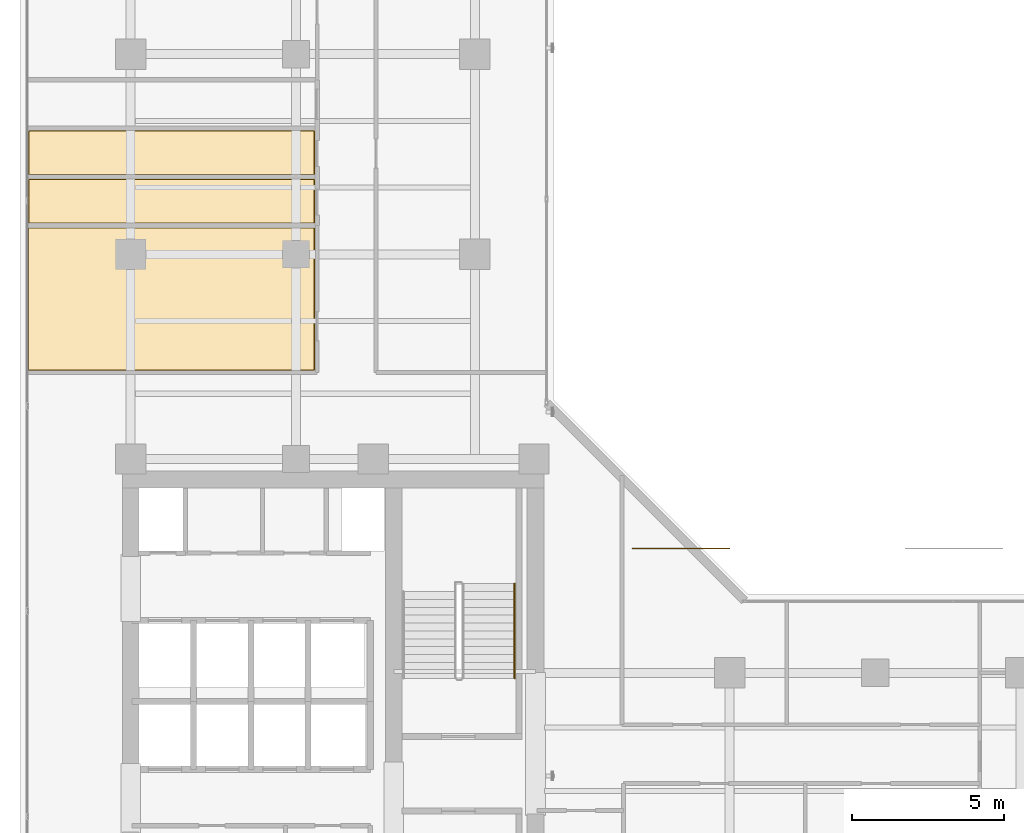
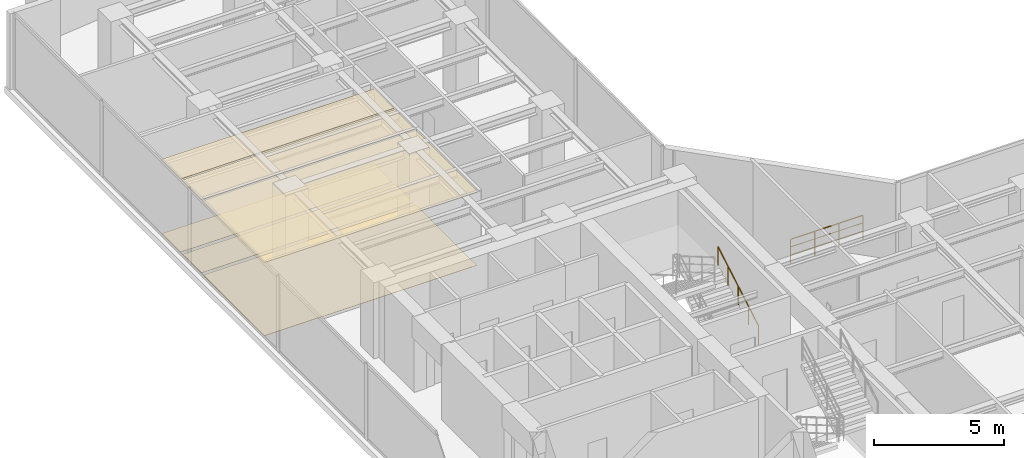
# One storey, part 22 of 25: 6 coverings, 2 railings.
"""IFC4 building model written with IfcOpenShell, lengths in metres."""

from ifc_helpers import new_model, si_unit, direction, frame, origin, origin_2d, place, context, subcontext, project, spatial, polyline, circle, outline, extrude, material, layer, layer_set, type_object, element, save


model = new_model("IFC4")

# Units and contexts
model_context = context("Model", 3, precision=1e-05, world=origin(), true_north=direction((0.0, 1.0)))
body_context = subcontext(model_context, "Body", "Model", "MODEL_VIEW")
ifc_project = project(units=[si_unit("LENGTHUNIT", "METRE"), si_unit("AREAUNIT", "SQUARE_METRE"), si_unit("VOLUMEUNIT", "CUBIC_METRE"), si_unit("PLANEANGLEUNIT", "RADIAN"), si_unit("MASSUNIT", "GRAM", prefix="KILO")], contexts=[model_context])

# Site, building, storey
site_placement = place(None, origin())
site = spatial("IfcSite", under=ifc_project, at=site_placement, CompositionType="ELEMENT")
building_placement = place(site_placement, origin())
building = spatial("IfcBuilding", under=site, at=building_placement, Name="Kolvaren Waterfront Exchange", CompositionType="ELEMENT")
storey_placement = place(building_placement, frame((0.0, 0.0, 223.5)))
storey = spatial("IfcBuildingStorey", under=building, at=storey_placement, Name="L57", CompositionType="ELEMENT", Elevation=223.5)

# Railing
ifc_material_1 = material(Name="Anodised bronze aluminium and laminated glass", Category="aluminium")
railing_type_1 = type_object("IfcRailingType", Name="ARC-BALUSTRADE-1150", PredefinedType="BALUSTRADE", material=ifc_material_1)
railing_1_placement = place(storey_placement, frame((24.0, 21.5, 0.0)))
element("IfcRailing", 1, at=railing_1_placement, inside=storey, type_object=railing_type_1, Name="L57 gallery balustrade 1", PredefinedType="BALUSTRADE", context=body_context, shape_type="SweptSolid", body=[
    extrude(circle(Radius=0.02392578125, at=origin_2d()), frame((0.0, 0.0, 1.1259765625), z_axis=(1.0, 0.0, 0.0), x_axis=(0.0, 1.0, 0.0)), (0.0, 0.0, 1.0), 3.199951171875),
    extrude(circle(Radius=0.01611328125, at=origin_2d()), frame((0.0, 0.0, 0.390869140625), z_axis=(1.0, 0.0, 0.0), x_axis=(0.0, 1.0, 0.0)), (0.0, 0.0, 1.0), 3.199951171875),
    extrude(circle(Radius=0.01611328125, at=origin_2d()), frame((0.0, 0.0, 0.7705078125), z_axis=(1.0, 0.0, 0.0), x_axis=(0.0, 1.0, 0.0)), (0.0, 0.0, 1.0), 3.199951171875),
    extrude(circle(Radius=0.02099609375, at=origin_2d()), origin(), (0.0, 0.0, 1.0), 1.101806640625),
    extrude(circle(Radius=0.02099609375, at=origin_2d()), frame((1.066650390625, 0.0, 0.0)), (0.0, 0.0, 1.0), 1.101806640625),
    extrude(circle(Radius=0.02099609375, at=origin_2d()), frame((2.13330078125, 0.0, 0.0)), (0.0, 0.0, 1.0), 1.101806640625),
    extrude(circle(Radius=0.02099609375, at=origin_2d()), frame((3.199951171875, 0.0, 0.0)), (0.0, 0.0, 1.0), 1.101806640625),
])

# Coverings
ifc_material_2 = material(Name="Mineral fibre acoustic ceiling tile")
ifc_layer_1 = layer(ifc_material_2, 0.02490234375, Name="Mineral fibre acoustic ceiling tile")
ifc_layer_set_1 = layer_set([ifc_layer_1], Name="Mineral fibre acoustic ceiling tile")
covering_type_1 = type_object("IfcCoveringType", Name="ARC-CEIL-ACOUSTIC-25", PredefinedType="CEILING", material=ifc_layer_set_1)
covering_1_placement = place(storey_placement, frame((0.0, 0.0, 3.445068359375)))
element("IfcCovering", 2, at=covering_1_placement, inside=storey, type_object=covering_type_1, Name="L57 acoustic suspended ceiling 1", PredefinedType="CEILING", context=body_context, shape_type="SweptSolid", body=[
    extrude(outline(polyline([(13.534912109375, 27.344970703125), (13.534912109375, 32.10498046875), (4.044921875, 32.10498046875), (4.044921875, 27.344970703125), (13.534912109375, 27.344970703125)])), origin(), (0.0, 0.0, 1.0), 0.02490234375),
])
covering_2_placement = place(storey_placement, frame((0.0, 0.0, 3.445068359375)))
element("IfcCovering", 3, at=covering_2_placement, inside=storey, type_object=covering_type_1, Name="L57 acoustic suspended ceiling 2", PredefinedType="CEILING", context=body_context, shape_type="SweptSolid", body=[
    extrude(outline(polyline([(13.534912109375, 32.195068359375), (13.534912109375, 33.705078125), (4.06494140625, 33.705078125), (4.06494140625, 32.195068359375), (13.534912109375, 32.195068359375)])), origin(), (0.0, 0.0, 1.0), 0.02490234375),
])
covering_3_placement = place(storey_placement, frame((0.0, 0.0, 3.445068359375)))
element("IfcCovering", 4, at=covering_3_placement, inside=storey, type_object=covering_type_1, Name="L57 acoustic suspended ceiling 3", PredefinedType="CEILING", context=body_context, shape_type="SweptSolid", body=[
    extrude(outline(polyline([(13.534912109375, 33.794921875), (13.534912109375, 35.304931640625), (4.06494140625, 35.304931640625), (4.06494140625, 33.794921875), (13.534912109375, 33.794921875)])), origin(), (0.0, 0.0, 1.0), 0.02490234375),
])
ifc_material_3 = material(Name="Slip-resistant porcelain tile")
ifc_layer_2 = layer(ifc_material_3, 0.014892578125, Name="Slip-resistant porcelain tile")
ifc_layer_set_2 = layer_set([ifc_layer_2], Name="Slip-resistant porcelain tile")
covering_type_2 = type_object("IfcCoveringType", Name="ARC-FLR-PORC-15", PredefinedType="FLOORING", material=ifc_layer_set_2)
covering_4_placement = place(storey_placement, origin())
element("IfcCovering", 5, at=covering_4_placement, inside=storey, type_object=covering_type_2, Name="L57 floor finish 1", PredefinedType="FLOORING", context=body_context, shape_type="SweptSolid", body=[
    extrude(outline(polyline([(4.080078125, 32.070068359375), (4.080078125, 27.3798828125), (13.5, 27.3798828125), (13.5, 32.070068359375), (4.080078125, 32.070068359375)])), origin(), (0.0, 0.0, 1.0), 0.014892578125),
])
covering_5_placement = place(storey_placement, origin())
element("IfcCovering", 6, at=covering_5_placement, inside=storey, type_object=covering_type_2, Name="L57 floor finish 2", PredefinedType="FLOORING", context=body_context, shape_type="SweptSolid", body=[
    extrude(outline(polyline([(4.10009765625, 33.669921875), (4.10009765625, 32.22998046875), (13.5, 32.22998046875), (13.5, 33.669921875), (4.10009765625, 33.669921875)])), origin(), (0.0, 0.0, 1.0), 0.014892578125),
])
covering_6_placement = place(storey_placement, origin())
element("IfcCovering", 7, at=covering_6_placement, inside=storey, type_object=covering_type_2, Name="L57 floor finish 3", PredefinedType="FLOORING", context=body_context, shape_type="SweptSolid", body=[
    extrude(outline(polyline([(4.10009765625, 35.27001953125), (4.10009765625, 33.830078125), (13.5, 33.830078125), (13.5, 35.27001953125), (4.10009765625, 35.27001953125)])), origin(), (0.0, 0.0, 1.0), 0.014892578125),
])

# Railing
ifc_material_4 = material(Name="Stainless steel 316", Category="steel")
railing_type_2 = type_object("IfcRailingType", Name="ARC-HANDRAIL-900", PredefinedType="HANDRAIL", material=ifc_material_4)
railing_2_placement = place(storey_placement, frame((20.110107421875, 17.219970703125, 0.152099609375)))
element("IfcRailing", 8, at=railing_2_placement, inside=storey, type_object=railing_type_2, Name="L57 ST2 stair handrail 1", PredefinedType="HANDRAIL", context=body_context, shape_type="SweptSolid", body=[
    extrude(circle(Radius=0.02392578125, at=origin_2d()), frame((0.0, 0.0, 0.8759765625), z_axis=(0.0, 0.86330811405, 0.504677223793), x_axis=(-1.0, 0.0, 0.0)), (0.0, 0.0, 1.0), 3.6142578125),
    extrude(circle(Radius=0.02099609375, at=origin_2d()), origin(), (0.0, 0.0, 1.0), 0.851806640625),
    extrude(circle(Radius=0.02099609375, at=origin_2d()), frame((0.0, 0.780029296875, 0.4560546875)), (0.0, 0.0, 1.0), 0.851806640625),
    extrude(circle(Radius=0.02099609375, at=origin_2d()), frame((0.0, 1.56005859375, 0.912109375)), (0.0, 0.0, 1.0), 0.851806640625),
    extrude(circle(Radius=0.02099609375, at=origin_2d()), frame((0.0, 2.340087890625, 1.367919921875)), (0.0, 0.0, 1.0), 0.851806640625),
    extrude(circle(Radius=0.02099609375, at=origin_2d()), frame((0.0, 3.1201171875, 1.823974609375)), (0.0, 0.0, 1.0), 0.851806640625),
])

save(model, "model.ifc")
